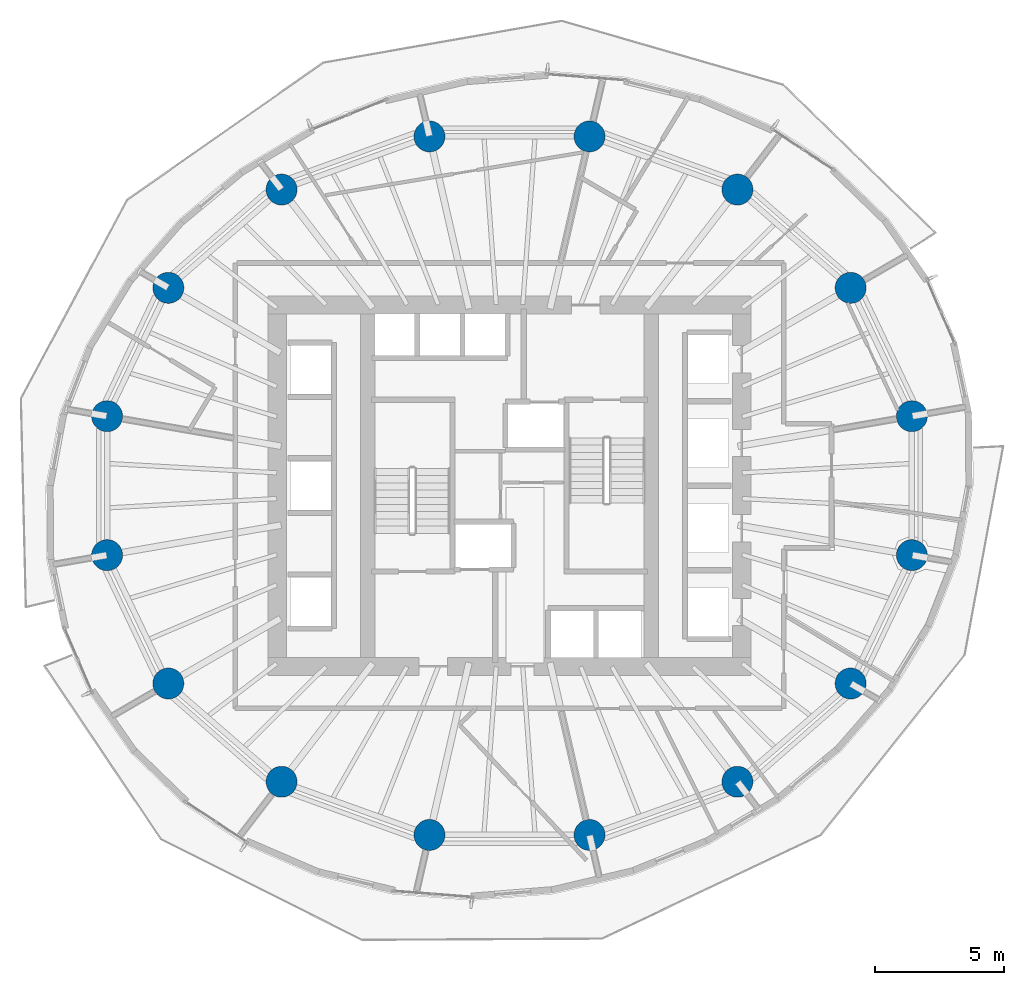
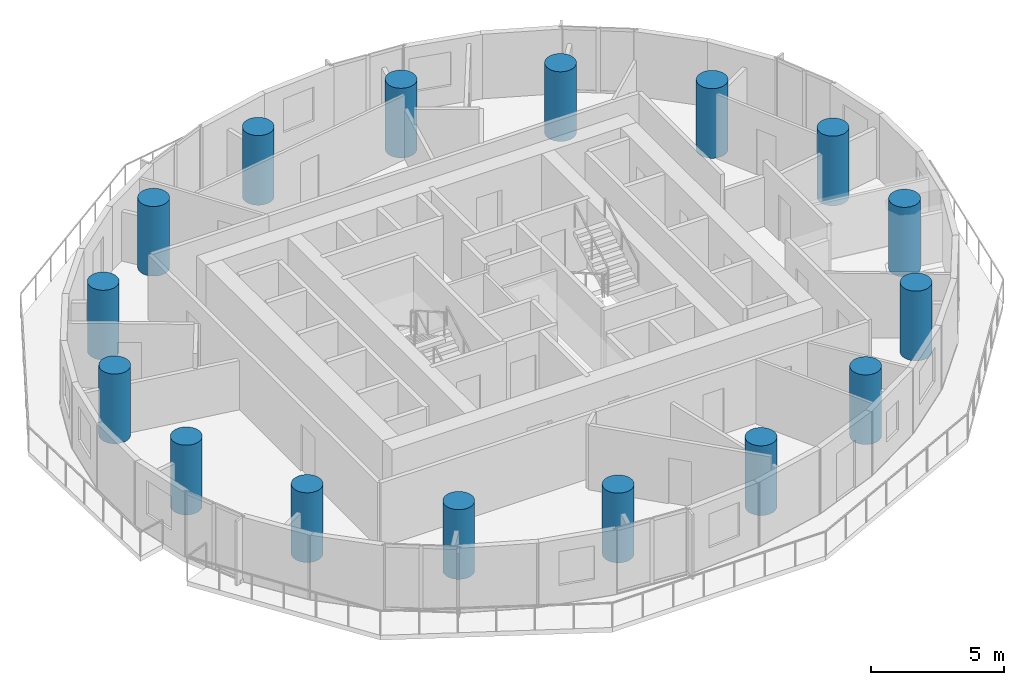
# One storey, part 1 of 14: 16 columns.
"""IFC4 building model written with IfcOpenShell, lengths in metres."""

from ifc_helpers import new_model, si_unit, direction, frame, origin, origin_2d, place, context, subcontext, project, spatial, circle, extrude, material, material_profile, profile_set, type_object, element, save


model = new_model("IFC4")

# Units and contexts
model_context = context("Model", 3, precision=1e-05, world=origin(), true_north=direction((0.0, 1.0)))
body_context = subcontext(model_context, "Body", "Model", "MODEL_VIEW")
ifc_project = project(units=[si_unit("LENGTHUNIT", "METRE"), si_unit("AREAUNIT", "SQUARE_METRE"), si_unit("VOLUMEUNIT", "CUBIC_METRE"), si_unit("PLANEANGLEUNIT", "RADIAN"), si_unit("MASSUNIT", "GRAM", prefix="KILO")], contexts=[model_context])

# Site, building, storey
site_placement = place(None, origin())
site = spatial("IfcSite", under=ifc_project, at=site_placement, CompositionType="ELEMENT")
building_placement = place(site_placement, origin())
building = spatial("IfcBuilding", under=site, at=building_placement, Name="Veldorim Arch Residences", CompositionType="ELEMENT")
storey_placement = place(building_placement, frame((0.0, 0.0, 77.280029296875)))
storey = spatial("IfcBuildingStorey", under=building, at=storey_placement, Name="L22", CompositionType="ELEMENT", Elevation=77.280029296875)

# Columns
ifc_material = material(Name="Concrete C60/75", Category="concrete")
ifc_material_profile = material_profile(ifc_material, circle(Radius=0.60009765625, at=origin_2d()), Name="RC_CIRC_1200")
ifc_profile_set = profile_set([ifc_material_profile], Name="Concrete C60/75")
column_type = type_object("IfcColumnType", Name="Structural Column RC_CIRC_1200", PredefinedType="COLUMN", material=ifc_profile_set)
for number, where, z_axis, x_axis, name in (
    (1, (47.594482421875, 26.692138671875, 0.0), (0.0, 0.0, 1.0), (1.0, 0.0, 0.0), "L22 TC-Z2-01 perimeter column"),
    (2, (45.220458984375, 31.6669921875, 0.0), (0.0, 0.0, 1.0), (1.0, 0.0, 0.0), "L22 TC-Z2-02 perimeter column"),
    (3, (40.83349609375, 35.474365234375, 0.0), (0.0, 0.0, 1.0), (1.0, 0.0, 0.0), "L22 TC-Z2-03 perimeter column"),
    (4, (35.101806640625, 37.534912109375, 0.0), (0.0, 0.0, 1.0), (1.0, 0.0, 0.0), "L22 TC-Z2-04 perimeter column"),
    (5, (28.898193359375, 37.534912109375, 0.0), (0.0, 0.0, 1.0), (1.0, 0.0, 0.0), "L22 TC-Z2-05 perimeter column"),
    (6, (23.16650390625, 35.474365234375, 0.0), (0.0, 0.0, 1.0), (1.0, 0.0, 0.0), "L22 TC-Z2-06 perimeter column"),
    (7, (18.779541015625, 31.6669921875, 0.0), (0.0, 0.0, 1.0), (1.0, 0.0, 0.0), "L22 TC-Z2-07 perimeter column"),
    (8, (16.405517578125, 26.692138671875, 0.0), (0.0, 0.0, 1.0), (1.0, 0.0, 0.0), "L22 TC-Z2-08 perimeter column"),
    (9, (16.405517578125, 21.307861328125, 0.0), (0.0, 0.0, 1.0), (1.0, 0.0, 0.0), "L22 TC-Z2-09 perimeter column"),
    (10, (18.779541015625, 16.3330078125, 0.0), (0.0, 0.0, 1.0), (1.0, 0.0, 0.0), "L22 TC-Z2-10 perimeter column"),
    (11, (23.16650390625, 12.525634765625, 0.0), (0.0, 0.0, 1.0), (1.0, 0.0, 0.0), "L22 TC-Z2-11 perimeter column"),
    (12, (28.898193359375, 10.465087890625, 0.0), (0.0, 0.0, 1.0), (1.0, 0.0, 0.0), "L22 TC-Z2-12 perimeter column"),
    (13, (35.101806640625, 10.465087890625, 0.0), (0.0, 0.0, 1.0), (1.0, 0.0, 0.0), "L22 TC-Z2-13 perimeter column"),
    (14, (40.83349609375, 12.525634765625, 0.0), (0.0, 0.0, 1.0), (1.0, 0.0, 0.0), "L22 TC-Z2-14 perimeter column"),
    (15, (45.220458984375, 16.3330078125, 0.0), (0.0, 0.0, 1.0), (1.0, 0.0, 0.0), "L22 TC-Z2-15 perimeter column"),
    (16, (47.594482421875, 21.307861328125, 0.0), (0.0, 0.0, 1.0), (1.0, 0.0, 0.0), "L22 TC-Z2-16 perimeter column"),
):
    element("IfcColumn", number, at=place(storey_placement, frame(where, z_axis=z_axis, x_axis=x_axis)), inside=storey, type_object=column_type, Name=name, PredefinedType="COLUMN", context=body_context, shape_type="SweptSolid", body=[
        extrude(circle(Radius=0.60009765625, at=origin_2d()), origin(), (0.0, 0.0, 1.0), 3.199951171875),
    ])

save(model, "model.ifc")
